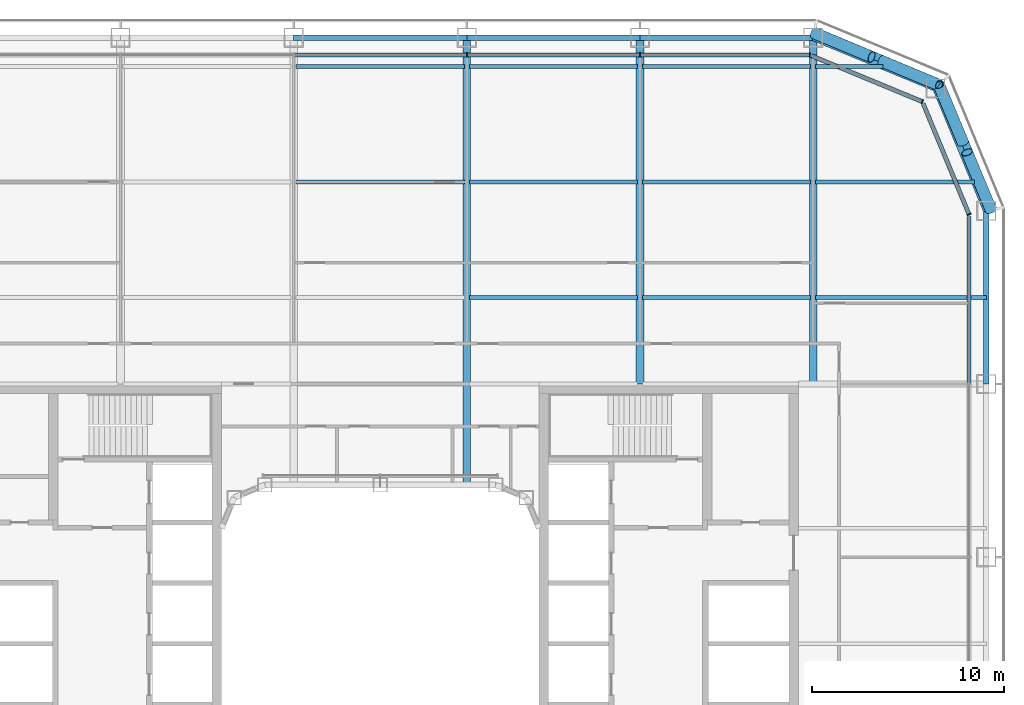
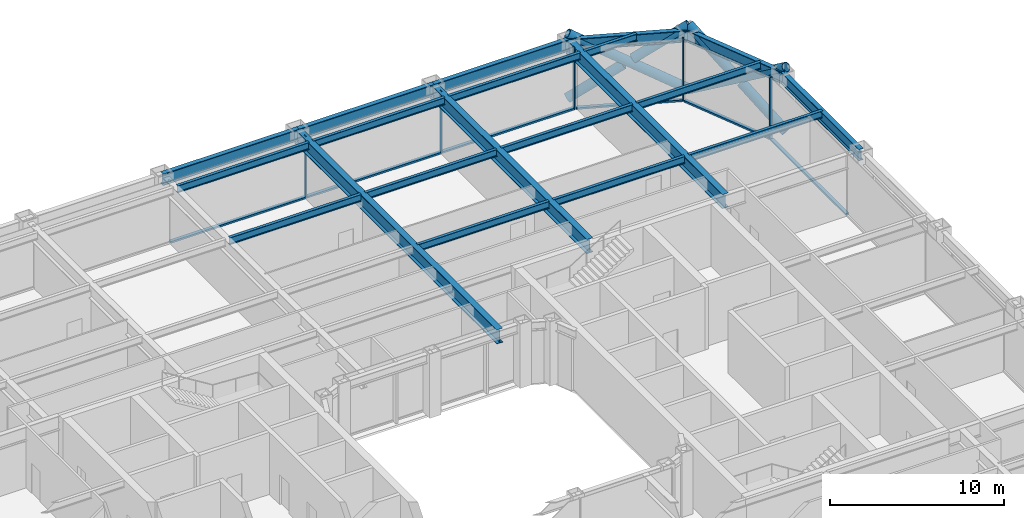
# One storey, part 10 of 25: 20 beams, 17 members, 4 elements without a shape of their own.
"""IFC4 building model written with IfcOpenShell, lengths in metres."""

from ifc_helpers import new_model, si_unit, direction, frame, origin, origin_2d, place, context, subcontext, project, spatial, rectangle, hollow_circle, i_section, extrude, material, layer, layer_set, material_profile, profile_set, type_object, element, aggregate, save


model = new_model("IFC4")

# Units and contexts
model_context = context("Model", 3, precision=1e-05, world=origin(), true_north=direction((0.0, 1.0)))
body_context = subcontext(model_context, "Body", "Model", "MODEL_VIEW")
ifc_project = project(units=[si_unit("LENGTHUNIT", "METRE"), si_unit("AREAUNIT", "SQUARE_METRE"), si_unit("VOLUMEUNIT", "CUBIC_METRE"), si_unit("PLANEANGLEUNIT", "RADIAN"), si_unit("MASSUNIT", "GRAM", prefix="KILO")], contexts=[model_context])

# Site, building, storey
site_placement = place(None, origin())
site = spatial("IfcSite", under=ifc_project, at=site_placement, CompositionType="ELEMENT")
building_placement = place(site_placement, origin())
building = spatial("IfcBuilding", under=site, at=building_placement, Name="Siwar Civic Tower", CompositionType="ELEMENT")
storey_placement = place(building_placement, frame((0.0, 0.0, 58.199951171875)))
storey = spatial("IfcBuildingStorey", under=building, at=storey_placement, Name="L12", CompositionType="ELEMENT", Elevation=58.199951171875)

# Curtain wall, member
ifc_material_1 = material(Name="Aluminium clad insulated panel", Category="aluminium")
ifc_layer_1 = layer(ifc_material_1, 0.219970703125)
ifc_layer_set_1 = layer_set([ifc_layer_1], Name="Aluminium clad insulated panel")
curtain_wall_type_1 = type_object("IfcCurtainWallType", Name="ENV-CW-AX", PredefinedType="NOTDEFINED", material=ifc_layer_set_1)
curtain_wall_1_placement = place(storey_placement, origin())
curtain_wall_1 = element("IfcCurtainWall", 1, at=curtain_wall_1_placement, inside=storey, type_object=curtain_wall_type_1, Name="Curtain wall A NE1", PredefinedType="NOTDEFINED")
ifc_material_2 = material(Name="Aluminium 6063-T6", Category="aluminium")
ifc_material_profile_1 = material_profile(ifc_material_2, rectangle(XDim=0.219970703125, YDim=0.070068359375, at=origin_2d()), Name="AL 220x70")
ifc_profile_set_1 = profile_set([ifc_material_profile_1], Name="Aluminium 6063-T6")
member_type_1 = type_object("IfcMemberType", Name="ENV-MULLION-A", PredefinedType="MULLION", material=ifc_profile_set_1)
member_1_placement = place(storey_placement, frame((30.60009765625, 22.321044921875, 0.0), z_axis=(0.0, 0.0, 1.0), x_axis=(-0.923879532511, -0.382683432365, 0.0)))
member_1 = element("IfcMember", 2, at=member_1_placement, type_object=member_type_1, Name="Mullion A NE1 1", PredefinedType="MULLION", context=body_context, shape_type="SweptSolid", body=[
    extrude(rectangle(XDim=0.219970703125, YDim=0.070068359375, at=origin_2d()), origin(), (0.0, 0.0, 1.0), 4.35009765625),
])

curtain_wall_2_placement = place(storey_placement, origin())
curtain_wall_2 = element("IfcCurtainWall", 3, at=curtain_wall_2_placement, inside=storey, type_object=curtain_wall_type_1, Name="Curtain wall A NE2", PredefinedType="NOTDEFINED")
member_2_placement = place(storey_placement, frame((28.175048828125, 28.175048828125, 0.0), z_axis=(0.0, 0.0, 1.0), x_axis=(-0.382683432365, -0.923879532511, 0.0)))
member_2 = element("IfcMember", 4, at=member_2_placement, type_object=member_type_1, Name="Mullion A NE2 1", PredefinedType="MULLION", context=body_context, shape_type="SweptSolid", body=[
    extrude(rectangle(XDim=0.219970703125, YDim=0.070068359375, at=origin_2d()), origin(), (0.0, 0.0, 1.0), 4.35009765625),
])

# Curtain wall, members
ifc_material_3 = material(Name="Aluminium and glass", Category="aluminium")
ifc_layer_2 = layer(ifc_material_3, 0.219970703125)
ifc_layer_set_2 = layer_set([ifc_layer_2], Name="Aluminium and glass")
curtain_wall_type_2 = type_object("IfcCurtainWallType", Name="ENV-CW-A", PredefinedType="NOTDEFINED", material=ifc_layer_set_2)
curtain_wall_3_placement = place(storey_placement, origin())
curtain_wall_3 = element("IfcCurtainWall", 5, at=curtain_wall_3_placement, inside=storey, type_object=curtain_wall_type_2, Name="Curtain wall A N", PredefinedType="NOTDEFINED")
member_3_placement = place(storey_placement, frame((22.321044921875, 30.60009765625, 0.0), z_axis=(0.0, 0.0, 1.0), x_axis=(0.0, -1.0, 0.0)))
member_3 = element("IfcMember", 6, at=member_3_placement, type_object=member_type_1, Name="Mullion A N 1", PredefinedType="MULLION", context=body_context, shape_type="SweptSolid", body=[
    extrude(rectangle(XDim=0.219970703125, YDim=0.070068359375, at=origin_2d()), origin(), (0.0, 0.0, 1.0), 4.35009765625),
])
member_4_placement = place(storey_placement, frame((13.5, 30.60009765625, 0.0), z_axis=(0.0, 0.0, 1.0), x_axis=(0.0, -1.0, 0.0)))
member_4 = element("IfcMember", 7, at=member_4_placement, type_object=member_type_1, Name="Mullion A N 2", PredefinedType="MULLION", context=body_context, shape_type="SweptSolid", body=[
    extrude(rectangle(XDim=0.219970703125, YDim=0.070068359375, at=origin_2d()), origin(), (0.0, 0.0, 1.0), 4.35009765625),
])
member_5_placement = place(storey_placement, frame((4.5, 30.60009765625, 0.0), z_axis=(0.0, 0.0, 1.0), x_axis=(0.0, -1.0, 0.0)))
member_5 = element("IfcMember", 8, at=member_5_placement, type_object=member_type_1, Name="Mullion A N 3", PredefinedType="MULLION", context=body_context, shape_type="SweptSolid", body=[
    extrude(rectangle(XDim=0.219970703125, YDim=0.070068359375, at=origin_2d()), origin(), (0.0, 0.0, 1.0), 4.35009765625),
])

# Curtain wall, member
curtain_wall_4_placement = place(storey_placement, origin())
curtain_wall_4 = element("IfcCurtainWall", 9, at=curtain_wall_4_placement, inside=storey, type_object=curtain_wall_type_2, Name="Curtain wall A E", PredefinedType="NOTDEFINED")
ifc_material_4 = material(Name="Aluminium 6063-T6", Category="aluminium")
ifc_material_profile_2 = material_profile(ifc_material_4, rectangle(XDim=0.219970703125, YDim=0.1201171875, at=origin_2d()), Name="AL 220x120")
ifc_profile_set_2 = profile_set([ifc_material_profile_2], Name="Aluminium 6063-T6")
member_type_2 = type_object("IfcMemberType", Name="ENV-TRANSOM-A", PredefinedType="USERDEFINED", material=ifc_profile_set_2)
member_6_placement = place(storey_placement, frame((30.60009765625, 13.534912109375, 0.06005859375), z_axis=(0.0, 1.0, 0.0), x_axis=(-1.0, 0.0, 0.0)))
member_6 = element("IfcMember", 10, at=member_6_placement, type_object=member_type_2, Name="Transom A E 5", ObjectType="TRANSOM", PredefinedType="USERDEFINED", context=body_context, shape_type="SweptSolid", body=[
    extrude(rectangle(XDim=0.219970703125, YDim=0.1201171875, at=origin_2d()), origin(), (0.0, 0.0, 1.0), 8.66357421875),
])
aggregate(curtain_wall_4, [member_6])

# Member
member_7_placement = place(storey_placement, frame((30.586669921875, 22.353271484375, 0.06005859375), z_axis=(-0.382698415042, 0.923873326341, 0.0), x_axis=(-0.923873326341, -0.382698415042, 0.0)))
member_7 = element("IfcMember", 11, at=member_7_placement, type_object=member_type_2, Name="Transom A NE1 1", ObjectType="TRANSOM", PredefinedType="USERDEFINED", context=body_context, shape_type="SweptSolid", body=[
    extrude(rectangle(XDim=0.219970703125, YDim=0.1201171875, at=origin_2d()), origin(), (0.0, 0.0, 1.0), 6.17919921875),
])

aggregate(curtain_wall_1, [member_1, member_7])

member_8_placement = place(storey_placement, frame((28.142822265625, 28.1884765625, 0.06005859375), z_axis=(-0.923873326341, 0.382698415042, 0.0), x_axis=(-0.382698415042, -0.923873326341, 0.0)))
member_8 = element("IfcMember", 12, at=member_8_placement, type_object=member_type_2, Name="Transom A NE2 1", ObjectType="TRANSOM", PredefinedType="USERDEFINED", context=body_context, shape_type="SweptSolid", body=[
    extrude(rectangle(XDim=0.219970703125, YDim=0.1201171875, at=origin_2d()), origin(), (0.0, 0.0, 1.0), 6.17919921875),
])

aggregate(curtain_wall_2, [member_2, member_8])

member_9_placement = place(storey_placement, frame((22.285888671875, 30.60009765625, 0.06005859375), z_axis=(-1.0, 0.0, 0.0), x_axis=(0.0, -1.0, 0.0)))
member_9 = element("IfcMember", 13, at=member_9_placement, type_object=member_type_2, Name="Transom A N 1", ObjectType="TRANSOM", PredefinedType="USERDEFINED", context=body_context, shape_type="SweptSolid", body=[
    extrude(rectangle(XDim=0.219970703125, YDim=0.1201171875, at=origin_2d()), origin(), (0.0, 0.0, 1.0), 8.7509765625),
])

member_10_placement = place(storey_placement, frame((13.465087890625, 30.60009765625, 0.06005859375), z_axis=(-1.0, 0.0, 0.0), x_axis=(0.0, -1.0, 0.0)))
member_10 = element("IfcMember", 14, at=member_10_placement, type_object=member_type_2, Name="Transom A N 2", ObjectType="TRANSOM", PredefinedType="USERDEFINED", context=body_context, shape_type="SweptSolid", body=[
    extrude(rectangle(XDim=0.219970703125, YDim=0.1201171875, at=origin_2d()), origin(), (0.0, 0.0, 1.0), 8.93017578125),
])

member_11_placement = place(storey_placement, frame((4.465087890625, 30.60009765625, 0.06005859375), z_axis=(-1.0, 0.0, 0.0), x_axis=(0.0, -1.0, 0.0)))
member_11 = element("IfcMember", 15, at=member_11_placement, type_object=member_type_2, Name="Transom A N 3", ObjectType="TRANSOM", PredefinedType="USERDEFINED", context=body_context, shape_type="SweptSolid", body=[
    extrude(rectangle(XDim=0.219970703125, YDim=0.1201171875, at=origin_2d()), origin(), (0.0, 0.0, 1.0), 8.93017578125),
])

aggregate(curtain_wall_3, [member_3, member_4, member_5, member_9, member_10, member_11])

# Members
ifc_material_5 = material(Name="Steel S355", Category="steel")
ifc_material_profile_3 = material_profile(ifc_material_5, hollow_circle(Radius=0.304931640625, WallThickness=0.030029296875, at=origin_2d()), Name="CHS610x30")
ifc_profile_set_3 = profile_set([ifc_material_profile_3], Name="Steel S355")
member_type_3 = type_object("IfcMemberType", Name="STR-BR-CHS610x30", PredefinedType="BRACE", material=ifc_profile_set_3)
member_12_placement = place(storey_placement, frame((29.040771484375, 29.040771484375, 0.0), z_axis=(-0.777554562952, 0.323905527954, 0.538975055633), x_axis=(-0.384538969033, -0.923108759191, 0.0)))
element("IfcMember", 16, at=member_12_placement, inside=storey, type_object=member_type_3, Name="L12/brc/ANE1-11-0-1", PredefinedType="BRACE", context=body_context, shape_type="SweptSolid", body=[
    extrude(hollow_circle(Radius=0.304931640625, WallThickness=0.030029296875, at=origin_2d()), origin(), (0.0, 0.0, 1.0), 8.34912109375),
])
member_13_placement = place(storey_placement, frame((22.548828125, 31.7451171875, 0.0), z_axis=(0.777533059308, -0.323882123145, 0.539020140617), x_axis=(0.384524353215, 0.923114847559, 0.0)))
element("IfcMember", 17, at=member_13_placement, inside=storey, type_object=member_type_3, Name="L12/brc/ANE1-11-0-2", PredefinedType="BRACE", context=body_context, shape_type="SweptSolid", body=[
    extrude(hollow_circle(Radius=0.304931640625, WallThickness=0.030029296875, at=origin_2d()), origin(), (0.0, 0.0, 1.0), 3.843505859375),
])
member_14_placement = place(storey_placement, frame((26.052001953125, 30.285888671875, 2.428466796875), z_axis=(0.777568797048, -0.323934068367, 0.538937366685), x_axis=(0.384561842466, 0.923099230484, 0.0)))
element("IfcMember", 18, at=member_14_placement, inside=storey, type_object=member_type_3, Name="L12/brc/ANE1-11-0-3", PredefinedType="BRACE", context=body_context, shape_type="SweptSolid", body=[
    extrude(hollow_circle(Radius=0.304931640625, WallThickness=0.030029296875, at=origin_2d()), origin(), (0.0, 0.0, 1.0), 3.84375),
])
member_15_placement = place(storey_placement, frame((29.040771484375, 29.040771484375, 0.0), z_axis=(0.323905527954, -0.777554562952, 0.538975055633), x_axis=(0.923108759191, 0.384538969033, 0.0)))
element("IfcMember", 19, at=member_15_placement, inside=storey, type_object=member_type_3, Name="L12/brc/ANE1-11-0-0", PredefinedType="BRACE", context=body_context, shape_type="SweptSolid", body=[
    extrude(hollow_circle(Radius=0.304931640625, WallThickness=0.030029296875, at=origin_2d()), origin(), (0.0, 0.0, 1.0), 8.34912109375),
])
member_16_placement = place(storey_placement, frame((31.7451171875, 22.548828125, 0.0), z_axis=(-0.323882123145, 0.777533059308, 0.539020140617), x_axis=(-0.923114847559, -0.384524353215, 0.0)))
element("IfcMember", 20, at=member_16_placement, inside=storey, type_object=member_type_3, Name="L12/brc/ANE1-11-0-4", PredefinedType="BRACE", context=body_context, shape_type="SweptSolid", body=[
    extrude(hollow_circle(Radius=0.304931640625, WallThickness=0.030029296875, at=origin_2d()), origin(), (0.0, 0.0, 1.0), 3.843505859375),
])
member_17_placement = place(storey_placement, frame((30.285888671875, 26.052001953125, 2.428466796875), z_axis=(-0.323934068367, 0.777568797048, 0.538937366685), x_axis=(-0.923099230484, -0.384561842466, 0.0)))
element("IfcMember", 21, at=member_17_placement, inside=storey, type_object=member_type_3, Name="L12/brc/ANE1-11-0-5", PredefinedType="BRACE", context=body_context, shape_type="SweptSolid", body=[
    extrude(hollow_circle(Radius=0.304931640625, WallThickness=0.030029296875, at=origin_2d()), origin(), (0.0, 0.0, 1.0), 3.84375),
])

# Beams
ifc_material_6 = material(Name="Steel S355", Category="steel")
ifc_material_profile_4 = material_profile(ifc_material_6, i_section(OverallWidth=0.199951171875, OverallDepth=0.5, WebThickness=0.01025390625, FlangeThickness=0.01611328125, FilletRadius=0.02099609375, at=origin_2d()), Name="IPE500")
ifc_profile_set_4 = profile_set([ifc_material_profile_4], Name="Steel S355")
beam_type_1 = type_object("IfcBeamType", Name="STR-FB-IPE500", PredefinedType="JOIST", material=ifc_profile_set_4)
for number, where, z_axis, x_axis, name in (
    (22, (4.6298828125, 18.0, 4.10009765625), (1.0, 0.0, 0.0), (0.0, 1.0, 0.0), "L12/bm/F050"),
    (23, (13.6298828125, 18.0, 4.10009765625), (1.0, 0.0, 0.0), (0.0, 1.0, 0.0), "L12/bm/F051"),
):
    element("IfcBeam", number, at=place(storey_placement, frame(where, z_axis=z_axis, x_axis=x_axis)), inside=storey, type_object=beam_type_1, Name=name, PredefinedType="JOIST", context=body_context, shape_type="SweptSolid", body=[
        extrude(i_section(OverallWidth=0.199951171875, OverallDepth=0.5, WebThickness=0.01025390625, FlangeThickness=0.01611328125, FilletRadius=0.02099609375, at=origin_2d()), origin(), (0.0, 0.0, 1.0), 8.740234375),
    ])
beam_1_placement = place(storey_placement, frame((22.6298828125, 18.0, 4.10009765625), z_axis=(1.0, 0.0, 0.0), x_axis=(0.0, 1.0, 0.0)))
element("IfcBeam", 24, at=beam_1_placement, inside=storey, type_object=beam_type_1, Name="L12/bm/F052", PredefinedType="JOIST", context=body_context, shape_type="SweptSolid", body=[
    extrude(i_section(OverallWidth=0.199951171875, OverallDepth=0.5, WebThickness=0.01025390625, FlangeThickness=0.01611328125, FilletRadius=0.02099609375, at=origin_2d()), origin(), (0.0, 0.0, 1.0), 8.8701171875),
])
for number, where, z_axis, x_axis, name in (
    (25, (-4.3701171875, 24.0, 4.10009765625), (1.0, 0.0, 0.0), (0.0, 1.0, 0.0), "L12/bm/F056"),
    (26, (4.6298828125, 24.0, 4.10009765625), (1.0, 0.0, 0.0), (0.0, 1.0, 0.0), "L12/bm/F057"),
    (27, (13.6298828125, 24.0, 4.10009765625), (1.0, 0.0, 0.0), (0.0, 1.0, 0.0), "L12/bm/F058"),
):
    element("IfcBeam", number, at=place(storey_placement, frame(where, z_axis=z_axis, x_axis=x_axis)), inside=storey, type_object=beam_type_1, Name=name, PredefinedType="JOIST", context=body_context, shape_type="SweptSolid", body=[
        extrude(i_section(OverallWidth=0.199951171875, OverallDepth=0.5, WebThickness=0.01025390625, FlangeThickness=0.01611328125, FilletRadius=0.02099609375, at=origin_2d()), origin(), (0.0, 0.0, 1.0), 8.740234375),
    ])
beam_2_placement = place(storey_placement, frame((22.6298828125, 24.0, 4.10009765625), z_axis=(1.0, 0.0, 0.0), x_axis=(0.0, 1.0, 0.0)))
element("IfcBeam", 28, at=beam_2_placement, inside=storey, type_object=beam_type_1, Name="L12/bm/F059", PredefinedType="JOIST", context=body_context, shape_type="SweptSolid", body=[
    extrude(i_section(OverallWidth=0.199951171875, OverallDepth=0.5, WebThickness=0.01025390625, FlangeThickness=0.01611328125, FilletRadius=0.02099609375, at=origin_2d()), origin(), (0.0, 0.0, 1.0), 8.248779296875),
])
for number, where, z_axis, x_axis, name in (
    (29, (-4.3701171875, 30.0, 4.10009765625), (1.0, 0.0, 0.0), (0.0, 1.0, 0.0), "L12/bm/F063"),
    (30, (4.6298828125, 30.0, 4.10009765625), (1.0, 0.0, 0.0), (0.0, 1.0, 0.0), "L12/bm/F064"),
    (31, (13.6298828125, 30.0, 4.10009765625), (1.0, 0.0, 0.0), (0.0, 1.0, 0.0), "L12/bm/F065"),
):
    element("IfcBeam", number, at=place(storey_placement, frame(where, z_axis=z_axis, x_axis=x_axis)), inside=storey, type_object=beam_type_1, Name=name, PredefinedType="JOIST", context=body_context, shape_type="SweptSolid", body=[
        extrude(i_section(OverallWidth=0.199951171875, OverallDepth=0.5, WebThickness=0.01025390625, FlangeThickness=0.01611328125, FilletRadius=0.02099609375, at=origin_2d()), origin(), (0.0, 0.0, 1.0), 8.740234375),
    ])
beam_3_placement = place(storey_placement, frame((22.6298828125, 30.0, 4.10009765625), z_axis=(1.0, 0.0, 0.0), x_axis=(0.0, 1.0, 0.0)))
element("IfcBeam", 32, at=beam_3_placement, inside=storey, type_object=beam_type_1, Name="L12/bm/F066", PredefinedType="JOIST", context=body_context, shape_type="SweptSolid", body=[
    extrude(i_section(OverallWidth=0.199951171875, OverallDepth=0.5, WebThickness=0.01025390625, FlangeThickness=0.01611328125, FilletRadius=0.02099609375, at=origin_2d()), origin(), (0.0, 0.0, 1.0), 3.491455078125),
])
ifc_material_7 = material(Name="Steel S355", Category="steel")
ifc_material_profile_5 = material_profile(ifc_material_7, i_section(OverallWidth=0.39990234375, OverallDepth=1.0, WebThickness=0.01611328125, FlangeThickness=0.0400390625, at=origin_2d()), Name="PG1000x400x16x40")
ifc_profile_set_5 = profile_set([ifc_material_profile_5], Name="Steel S355")
beam_type_2 = type_object("IfcBeamType", Name="STR-PG-PG1000x400x16x40", PredefinedType="BEAM", material=ifc_profile_set_5)
beam_4_placement = place(storey_placement, frame((4.5, 8.25, 3.85009765625), z_axis=(0.0, 1.0, 0.0), x_axis=(-1.0, 0.0, 0.0)))
element("IfcBeam", 33, at=beam_4_placement, inside=storey, type_object=beam_type_2, Name="L12/bm/G08", PredefinedType="BEAM", context=body_context, shape_type="SweptSolid", body=[
    extrude(i_section(OverallWidth=0.39990234375, OverallDepth=1.0, WebThickness=0.01611328125, FlangeThickness=0.0400390625, at=origin_2d()), origin(), (0.0, 0.0, 1.0), 23.25),
])
for number, where, z_axis, x_axis, name in (
    (34, (13.5, 13.5, 3.85009765625), (0.0, 1.0, 0.0), (-1.0, 0.0, 0.0), "L12/bm/G10"),
    (35, (22.5, 13.5, 3.85009765625), (0.0, 1.0, 0.0), (-1.0, 0.0, 0.0), "L12/bm/G12"),
):
    element("IfcBeam", number, at=place(storey_placement, frame(where, z_axis=z_axis, x_axis=x_axis)), inside=storey, type_object=beam_type_2, Name=name, PredefinedType="BEAM", context=body_context, shape_type="SweptSolid", body=[
        extrude(i_section(OverallWidth=0.39990234375, OverallDepth=1.0, WebThickness=0.01611328125, FlangeThickness=0.0400390625, at=origin_2d()), origin(), (0.0, 0.0, 1.0), 18.0),
    ])
ifc_material_8 = material(Name="Steel S355", Category="steel")
ifc_material_profile_6 = material_profile(ifc_material_8, i_section(OverallWidth=0.302978515625, OverallDepth=0.81396484375, WebThickness=0.02099609375, FlangeThickness=0.0400390625, FilletRadius=0.030029296875, at=origin_2d()), Name="HEM800")
ifc_profile_set_6 = profile_set([ifc_material_profile_6], Name="Steel S355")
beam_type_3 = type_object("IfcBeamType", Name="STR-SB-HEM800", PredefinedType="BEAM", material=ifc_profile_set_6)
beam_5_placement = place(storey_placement, frame((31.5, 13.5, 3.943115234375), z_axis=(0.0, 1.0, 0.0), x_axis=(-1.0, 0.0, 0.0)))
element("IfcBeam", 36, at=beam_5_placement, inside=storey, type_object=beam_type_3, Name="L12/bm/SE-4", PredefinedType="BEAM", context=body_context, shape_type="SweptSolid", body=[
    extrude(i_section(OverallWidth=0.302978515625, OverallDepth=0.81396484375, WebThickness=0.02099609375, FlangeThickness=0.0400390625, FilletRadius=0.030029296875, at=origin_2d()), origin(), (0.0, 0.0, 1.0), 9.0),
])
for number, where, z_axis, x_axis, name in (
    (37, (31.5, 22.5, 3.943115234375), (-0.382674207535, 0.923883353507, 0.0), (-0.923883353507, -0.382674207535, 0.0), "L12/bm/SNE1-0"),
    (38, (28.864013671875, 28.864013671875, 3.943115234375), (-0.923883353507, 0.382674207535, 0.0), (-0.382674207535, -0.923883353507, 0.0), "L12/bm/SNE2-0"),
):
    element("IfcBeam", number, at=place(storey_placement, frame(where, z_axis=z_axis, x_axis=x_axis)), inside=storey, type_object=beam_type_3, Name=name, PredefinedType="BEAM", context=body_context, shape_type="SweptSolid", body=[
        extrude(i_section(OverallWidth=0.302978515625, OverallDepth=0.81396484375, WebThickness=0.02099609375, FlangeThickness=0.0400390625, FilletRadius=0.030029296875, at=origin_2d()), origin(), (0.0, 0.0, 1.0), 6.888427734375),
    ])
for number, where, z_axis, x_axis, name in (
    (39, (22.5, 31.5, 3.943115234375), (-1.0, 0.0, 0.0), (0.0, -1.0, 0.0), "L12/bm/SN-0"),
    (40, (13.5, 31.5, 3.943115234375), (-1.0, 0.0, 0.0), (0.0, -1.0, 0.0), "L12/bm/SN-1"),
    (41, (4.5, 31.5, 3.943115234375), (-1.0, 0.0, 0.0), (0.0, -1.0, 0.0), "L12/bm/SN-2"),
):
    element("IfcBeam", number, at=place(storey_placement, frame(where, z_axis=z_axis, x_axis=x_axis)), inside=storey, type_object=beam_type_3, Name=name, PredefinedType="BEAM", context=body_context, shape_type="SweptSolid", body=[
        extrude(i_section(OverallWidth=0.302978515625, OverallDepth=0.81396484375, WebThickness=0.02099609375, FlangeThickness=0.0400390625, FilletRadius=0.030029296875, at=origin_2d()), origin(), (0.0, 0.0, 1.0), 9.0),
    ])

save(model, "model.ifc")
